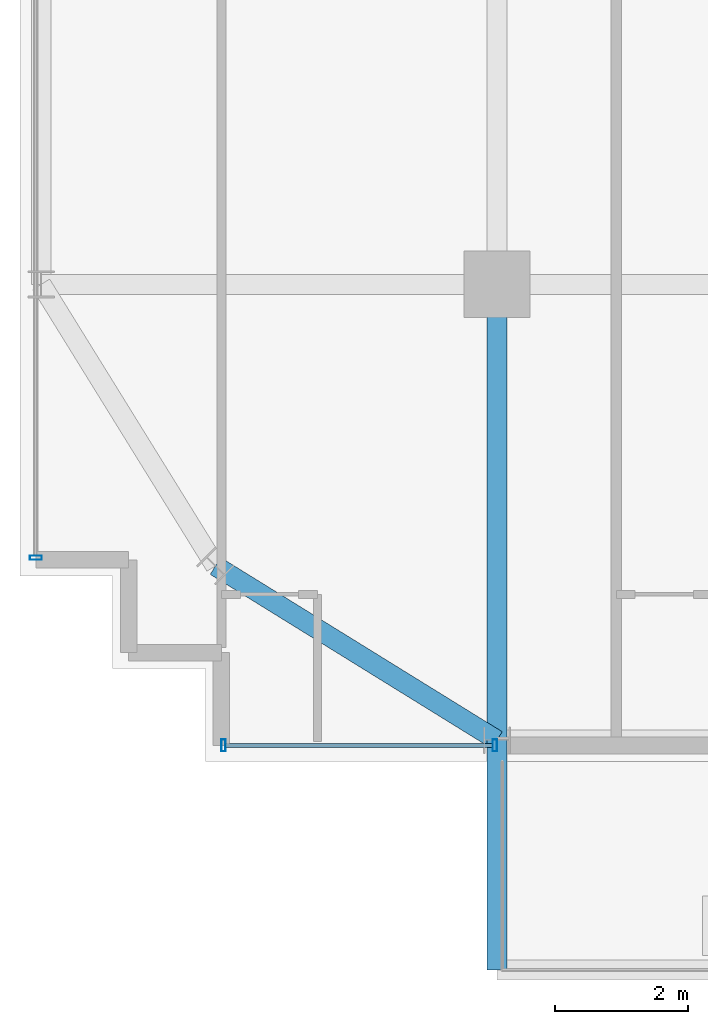
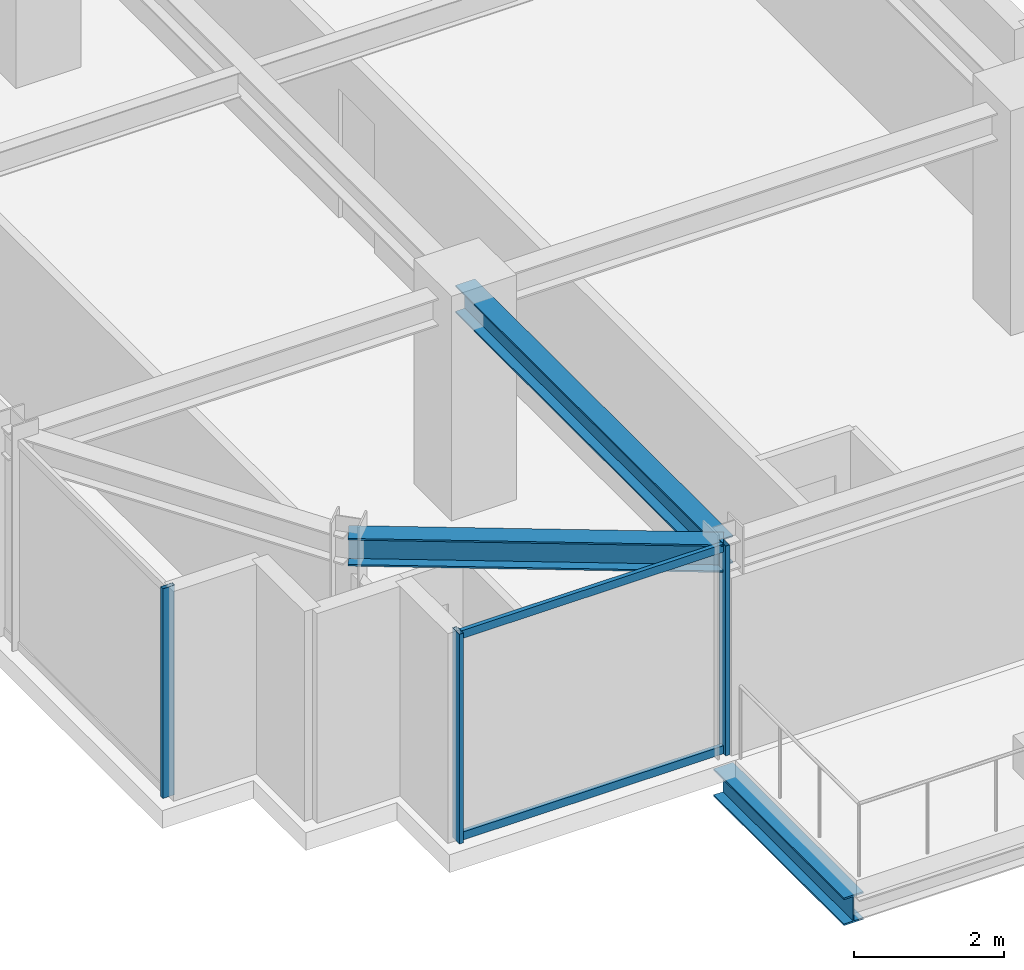
# One storey, part 3 of 34: 5 members, 3 beams, 2 elements without a shape of their own.
"""IFC4 building model written with IfcOpenShell, lengths in metres."""

from ifc_helpers import new_model, si_unit, direction, frame, origin, origin_2d, place, context, subcontext, project, spatial, hollow_rectangle, i_section, extrude, source, transform, mapped, material, material_profile, profile_set, type_object, element, aggregate, save


model = new_model("IFC4")

# Units and contexts
model_context = context("Model", 3, precision=1e-05, world=origin(), true_north=direction((0.0, 1.0)))
body_context = subcontext(model_context, "Body", "Model", "MODEL_VIEW")
ifc_project = project(units=[si_unit("LENGTHUNIT", "METRE"), si_unit("AREAUNIT", "SQUARE_METRE"), si_unit("VOLUMEUNIT", "CUBIC_METRE"), si_unit("PLANEANGLEUNIT", "RADIAN"), si_unit("MASSUNIT", "GRAM", prefix="KILO")], contexts=[model_context])

# Site, building, storey
site_placement = place(None, origin())
site = spatial("IfcSite", under=ifc_project, at=site_placement, CompositionType="ELEMENT")
building_placement = place(site_placement, origin())
building = spatial("IfcBuilding", under=site, at=building_placement, Name="Nahalor Promenade Grand Hotel", CompositionType="ELEMENT")
storey_placement = place(building_placement, frame((0.0, 0.0, 238.199951171875)))
storey = spatial("IfcBuildingStorey", under=building, at=storey_placement, Name="L61", CompositionType="ELEMENT", Elevation=238.199951171875)

# Beams
ifc_material_1 = material(Name="Steel S355JR", Category="steel")
ifc_material_profile_1 = material_profile(ifc_material_1, i_section(OverallWidth=0.3, OverallDepth=0.45, WebThickness=0.014, FlangeThickness=0.026, at=origin_2d()), Name="HEB 450")
ifc_profile_set_1 = profile_set([ifc_material_profile_1], Name="Steel S355JR")
beam_type_1 = type_object("IfcBeamType", Name="Beam-Outrigger-HEB450", PredefinedType="BEAM", material=ifc_profile_set_1)
shared_shape_1 = source(origin(), body_context, "Body", "SweptSolid", [
    extrude(i_section(OverallWidth=0.3, OverallDepth=0.45, WebThickness=0.014, FlangeThickness=0.026, at=origin_2d()), origin(), (0.0, 0.0, 1.0), 3.47021484375),
])
beam_1_placement = place(storey_placement, frame((-17.0, -27.35009765625, -0.5048828125), z_axis=(0.0, 1.0, 0.0), x_axis=(-1.0, 0.0, 0.0)))
element("IfcBeam", 1, at=beam_1_placement, inside=storey, type_object=beam_type_1, Name="BM-L61-BC-01-1", PredefinedType="BEAM", context=body_context, shape_type="MappedRepresentation", body=[
    mapped(shared_shape_1, transform((0.0, 0.0, 0.0), scale=1.0)),
])
ifc_material_profile_2 = material_profile(ifc_material_1, i_section(OverallWidth=0.3, OverallDepth=0.45, WebThickness=0.014, FlangeThickness=0.026, at=origin_2d()), Name="HEB 450")
ifc_profile_set_2 = profile_set([ifc_material_profile_2], Name="Steel S355JR")
beam_type_2 = type_object("IfcBeamType", Name="Beam-Spandrel-HEB450", PredefinedType="SPANDREL", material=ifc_profile_set_2)
shared_shape_2 = source(origin(), body_context, "Body", "SweptSolid", [
    extrude(i_section(OverallWidth=0.3, OverallDepth=0.45, WebThickness=0.014, FlangeThickness=0.026, at=origin_2d()), origin(), (0.0, 0.0, 1.0), 4.997802734375),
])
beam_2_placement = place(storey_placement, frame((-17.0, -23.8798828125, 3.18505859375), z_axis=(-0.850360908404, 0.526199891161, 0.0), x_axis=(-0.526199891161, -0.850360908404, 0.0)))
element("IfcBeam", 2, at=beam_2_placement, inside=storey, type_object=beam_type_2, Name="BM-L61-SPC-SW-1", PredefinedType="SPANDREL", context=body_context, shape_type="MappedRepresentation", body=[
    mapped(shared_shape_2, transform((0.0, 0.0, 0.0), scale=1.0)),
])
ifc_material_profile_3 = material_profile(ifc_material_1, i_section(OverallWidth=0.3, OverallDepth=0.45, WebThickness=0.014, FlangeThickness=0.026, at=origin_2d()), Name="HEB 450")
ifc_profile_set_3 = profile_set([ifc_material_profile_3], Name="Steel S355JR")
beam_type_3 = type_object("IfcBeamType", Name="Beam-Girder-HEB450", PredefinedType="BEAM", material=ifc_profile_set_3)
shared_shape_3 = source(origin(), body_context, "Body", "SweptSolid", [
    extrude(i_section(OverallWidth=0.3, OverallDepth=0.45, WebThickness=0.014, FlangeThickness=0.026, at=origin_2d()), origin(), (0.0, 0.0, 1.0), 6.8798828125),
])
beam_3_placement = place(storey_placement, frame((-17.0, -23.8798828125, 3.18505859375), z_axis=(0.0, 1.0, 0.0), x_axis=(-1.0, 0.0, 0.0)))
element("IfcBeam", 3, at=beam_3_placement, inside=storey, type_object=beam_type_3, Name="BM-L61-GY-0-0", PredefinedType="BEAM", context=body_context, shape_type="MappedRepresentation", body=[
    mapped(shared_shape_3, transform((0.0, 0.0, 0.0), scale=1.0)),
])

# Curtain wall, members
ifc_material_2 = material(Name="Anodised Bronze Aluminium EN AW-6063 T6", Category="aluminium")
curtain_wall_type = type_object("IfcCurtainWallType", Name="CW2 Typical Hotel Flush Bronze Unitised Curtain Wall", PredefinedType="USERDEFINED", material=ifc_material_2)
curtain_wall_1_placement = place(storey_placement, origin())
curtain_wall_1 = element("IfcCurtainWall", 4, at=curtain_wall_1_placement, inside=storey, type_object=curtain_wall_type, Name="L61 Curtain Wall CW-L61-S-1", ObjectType="UNITISED_CURTAIN_WALL", PredefinedType="USERDEFINED")
ifc_material_profile_4 = material_profile(ifc_material_2, hollow_rectangle(XDim=0.065, YDim=0.18, WallThickness=0.004, at=origin_2d()), Name="CWM 65x180x4")
ifc_profile_set_4 = profile_set([ifc_material_profile_4], Name="Anodised Bronze Aluminium EN AW-6063 T6")
member_type_1 = type_object("IfcMemberType", Name="CWM2 Typical Bronze Mullion 65x180", PredefinedType="MULLION", material=ifc_profile_set_4)
shared_shape_4 = source(origin(), body_context, "Body", "SweptSolid", [
    extrude(hollow_rectangle(XDim=0.065, YDim=0.18, WallThickness=0.004, at=origin_2d()), origin(), (0.0, 0.0, 1.0), 3.41015625),
])
member_1_placement = place(storey_placement, frame((-21.12744140625, -23.9599609375, 0.0), z_axis=(0.0, 0.0, 1.0), x_axis=(1.0, 0.0, 0.0)))
member_1 = element("IfcMember", 5, at=member_1_placement, type_object=member_type_1, Name="CW-L61-S-1 Mullion 0", PredefinedType="MULLION", context=body_context, shape_type="MappedRepresentation", body=[
    mapped(shared_shape_4, transform((0.0, 0.0, 0.0), scale=1.0)),
])
member_2_placement = place(storey_placement, frame((-17.032470703125, -23.9599609375, 0.0), z_axis=(0.0, 0.0, 1.0), x_axis=(1.0, 0.0, 0.0)))
member_2 = element("IfcMember", 6, at=member_2_placement, type_object=member_type_1, Name="CW-L61-S-1 Mullion 1", PredefinedType="MULLION", context=body_context, shape_type="MappedRepresentation", body=[
    mapped(shared_shape_4, transform((0.0, 0.0, 0.0), scale=1.0)),
])

# Curtain wall, member
curtain_wall_2_placement = place(storey_placement, origin())
curtain_wall_2 = element("IfcCurtainWall", 7, at=curtain_wall_2_placement, inside=storey, type_object=curtain_wall_type, Name="L61 Curtain Wall CW-L61-W-1", ObjectType="UNITISED_CURTAIN_WALL", PredefinedType="USERDEFINED")
member_3_placement = place(storey_placement, frame((-23.9599609375, -21.12744140625, 0.0), z_axis=(0.0, 0.0, 1.0), x_axis=(0.0, 1.0, 0.0)))
member_3 = element("IfcMember", 8, at=member_3_placement, type_object=member_type_1, Name="CW-L61-W-1 Mullion 0", PredefinedType="MULLION", context=body_context, shape_type="MappedRepresentation", body=[
    mapped(shared_shape_4, transform((0.0, 0.0, 0.0), scale=1.0)),
])
aggregate(curtain_wall_2, [member_3])

# Member
ifc_material_profile_5 = material_profile(ifc_material_2, hollow_rectangle(XDim=0.065, YDim=0.13, WallThickness=0.004, at=origin_2d()), Name="CWT 65x130x4")
ifc_profile_set_5 = profile_set([ifc_material_profile_5], Name="Anodised Bronze Aluminium EN AW-6063 T6")
member_type_2 = type_object("IfcMemberType", Name="CWT2 Typical Bronze Transom 65x130", PredefinedType="USERDEFINED", material=ifc_profile_set_5)
shared_shape_5 = source(origin(), body_context, "Body", "SweptSolid", [
    extrude(hollow_rectangle(XDim=0.065, YDim=0.13, WallThickness=0.004, at=origin_2d()), origin(), (0.0, 0.0, 1.0), 4.030029296875),
])
member_4_placement = place(storey_placement, frame((-21.094970703125, -23.9599609375, 0.06494140625), z_axis=(1.0, 0.0, 0.0), x_axis=(0.0, 1.0, 0.0)))
member_4 = element("IfcMember", 9, at=member_4_placement, type_object=member_type_2, Name="CW-L61-S-1 Transom 0-0", ObjectType="TRANSOM", PredefinedType="USERDEFINED", context=body_context, shape_type="MappedRepresentation", body=[
    mapped(shared_shape_5, transform((0.0, 0.0, 0.0), scale=1.0)),
])

member_5_placement = place(storey_placement, frame((-21.094970703125, -23.9599609375, 3.344970703125), z_axis=(1.0, 0.0, 0.0), x_axis=(0.0, 1.0, 0.0)))
member_5 = element("IfcMember", 10, at=member_5_placement, type_object=member_type_2, Name="CW-L61-S-1 Transom 0-1", ObjectType="TRANSOM", PredefinedType="USERDEFINED", context=body_context, shape_type="MappedRepresentation", body=[
    mapped(shared_shape_5, transform((0.0, 0.0, 0.0), scale=1.0)),
])

aggregate(curtain_wall_1, [member_1, member_2, member_4, member_5])

save(model, "model.ifc")
